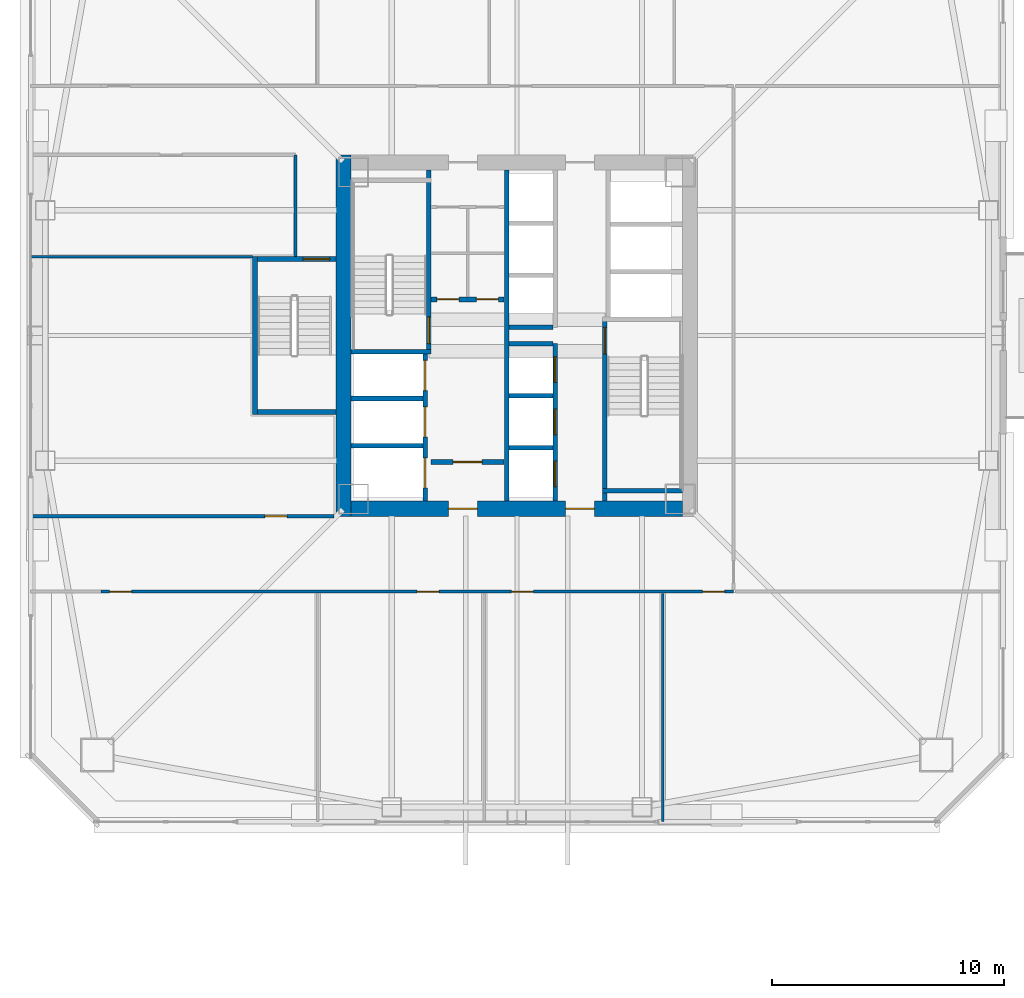
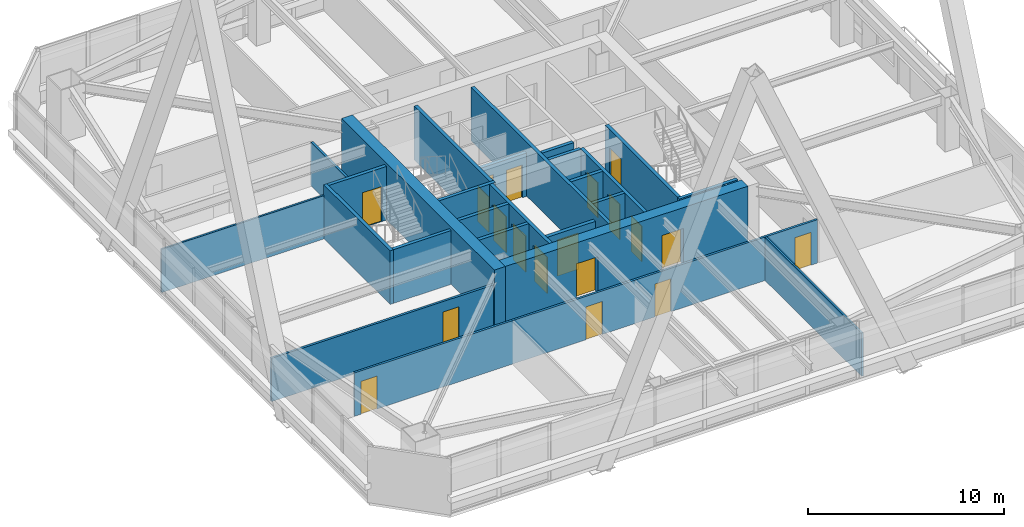
# One storey, part 43 of 54: 25 walls, 19 doors, 19 openings.
"""IFC4 building model written with IfcOpenShell, lengths in metres."""

from ifc_helpers import new_model, si_unit, direction, frame, frame_2d, origin, place, context, subcontext, project, spatial, rectangle, extrude, material, layer, layer_set, type_object, element, fill, save


model = new_model("IFC4")

# Units and contexts
model_context = context("Model", 3, precision=1e-05, world=origin(), true_north=direction((0.0, 1.0)))
body_context = subcontext(model_context, "Body", "Model", "MODEL_VIEW")
ifc_project = project(units=[si_unit("LENGTHUNIT", "METRE"), si_unit("AREAUNIT", "SQUARE_METRE"), si_unit("VOLUMEUNIT", "CUBIC_METRE"), si_unit("PLANEANGLEUNIT", "RADIAN"), si_unit("MASSUNIT", "GRAM", prefix="KILO")], contexts=[model_context])

# Site, building, storey
site_placement = place(None, origin())
site = spatial("IfcSite", under=ifc_project, at=site_placement, CompositionType="ELEMENT")
building_placement = place(site_placement, origin())
building = spatial("IfcBuilding", under=site, at=building_placement, Name="Tashvorn Skyway Center", CompositionType="ELEMENT")
storey_placement = place(building_placement, frame((0.0, 0.0, 88.5)))
storey = spatial("IfcBuildingStorey", under=building, at=storey_placement, Name="L23", CompositionType="ELEMENT", Elevation=88.5)

# Wall
ifc_material_1 = material(Name="Concrete C60/75", Category="concrete")
ifc_layer_1 = layer(ifc_material_1, 0.64990234375)
ifc_layer_set_1 = layer_set([ifc_layer_1], Name="Concrete C60/75")
wall_type_1 = type_object("IfcWallType", Name="WALL-CORE-650", PredefinedType="SHEAR", material=ifc_layer_set_1)
wall_1_placement = place(storey_placement, frame((34.52490234375, 24.199951171875, 0.0), z_axis=(0.0, 0.0, 1.0), x_axis=(0.0, 1.0, 0.0)))
element("IfcWall", 1, at=wall_1_placement, inside=storey, type_object=wall_type_1, Name="Tower 1 L23 West Core Shear Wall", PredefinedType="SHEAR", context=body_context, shape_type="SweptSolid", body=[
    extrude(rectangle(XDim=15.60009765625, YDim=0.64990234375, at=frame_2d((7.800048828125, 0.0))), origin(), (0.0, 0.0, 1.0), 3.550048828125),
])

# Wall, openings, doors
wall_2_placement = place(storey_placement, frame((49.14990234375, 24.52490234375, 0.0), z_axis=(0.0, 0.0, 1.0), x_axis=(-1.0, 0.0, 0.0)))
wall_2 = element("IfcWall", 2, at=wall_2_placement, inside=storey, type_object=wall_type_1, Name="Tower 1 L23 South Core Shear Wall", PredefinedType="SHEAR", context=body_context, shape_type="SweptSolid", body=[
    extrude(rectangle(XDim=14.2998046875, YDim=0.64990234375, at=frame_2d((7.14990234375, 0.0))), origin(), (0.0, 0.0, 1.0), 3.550048828125),
])
opening_1_placement = place(wall_2_placement, frame((8.85009765625, 0.0, 0.0)))
opening_1 = element("IfcOpeningElement", 3, at=opening_1_placement, cuts=wall_2, Name="Opening D-FFL-1250", PredefinedType="OPENING", context=body_context, shape_type="SweptSolid", body=[
    extrude(rectangle(XDim=1.25, YDim=2.25, at=frame_2d((0.625, 1.125))), frame((0.0, 0.3349609375, 0.0), z_axis=(0.0, -1.0, 0.0), x_axis=(1.0, 0.0, 0.0)), (0.0, 0.0, 1.0), 0.669921875),
])
opening_2_placement = place(wall_2_placement, frame((3.800048828125, 0.0, 0.0)))
opening_2 = element("IfcOpeningElement", 4, at=opening_2_placement, cuts=wall_2, Name="Opening D-FFL-1250", PredefinedType="OPENING", context=body_context, shape_type="SweptSolid", body=[
    extrude(rectangle(XDim=1.25, YDim=2.25, at=frame_2d((0.625, 1.125))), frame((0.0, 0.3349609375, 0.0), z_axis=(0.0, -1.0, 0.0), x_axis=(1.0, 0.0, 0.0)), (0.0, 0.0, 1.0), 0.669921875),
])
ifc_material_2 = material(Name="Hollow galvanized steel fire door assembly", Category="steel")
door_type_1 = type_object("IfcDoorType", Name="DOOR-FFL-1250", OperationType="NOTDEFINED", PredefinedType="DOOR", material=ifc_material_2)
door_1_placement = place(opening_1_placement, origin())
door_1 = element("IfcDoor", 5, at=door_1_placement, inside=storey, type_object=door_type_1, Name="Tower 1 L23 Core South Firefighting Exit Door", OperationType="SINGLE_SWING_LEFT", OverallHeight=2.25, OverallWidth=1.25, PredefinedType="DOOR", context=body_context, shape_type="SweptSolid", body=[
    extrude(rectangle(XDim=1.25, YDim=2.25, at=frame_2d((0.625, 1.125))), frame((0.0, 0.02490234375, 0.0), z_axis=(0.0, -1.0, 0.0), x_axis=(1.0, 0.0, 0.0)), (0.0, 0.0, 1.0), 0.050048828125),
])
fill(opening_1, door_1)
door_2_placement = place(opening_2_placement, origin())
door_2 = element("IfcDoor", 6, at=door_2_placement, inside=storey, type_object=door_type_1, Name="Tower 1 L23 Core South Lift Lobby Door", OperationType="SINGLE_SWING_RIGHT", OverallHeight=2.25, OverallWidth=1.25, PredefinedType="DOOR", context=body_context, shape_type="SweptSolid", body=[
    extrude(rectangle(XDim=1.25, YDim=2.25, at=frame_2d((0.625, 1.125))), frame((0.0, 0.02490234375, 0.0), z_axis=(0.0, -1.0, 0.0), x_axis=(1.0, 0.0, 0.0)), (0.0, 0.0, 1.0), 0.050048828125),
])
fill(opening_2, door_2)

ifc_material_3 = material(Name="Concrete C40/50", Category="concrete")
ifc_layer_2 = layer(ifc_material_3, 0.219970703125)
ifc_layer_set_2 = layer_set([ifc_layer_2], Name="Concrete C40/50")
wall_type_2 = type_object("IfcWallType", Name="WALL-FFL-220", PredefinedType="SOLIDWALL", material=ifc_layer_set_2)
wall_3_placement = place(storey_placement, frame((38.300048828125, 33.56005859375, 0.0), z_axis=(0.0, 0.0, 1.0), x_axis=(1.0, 0.0, 0.0)))
wall_3 = element("IfcWall", 7, at=wall_3_placement, inside=storey, type_object=wall_type_2, Name="Tower 1 L23 Firefighting Lobby North Wall", PredefinedType="SOLIDWALL", context=body_context, shape_type="SweptSolid", body=[
    extrude(rectangle(XDim=3.14990234375, YDim=0.219970703125, at=frame_2d((1.574951171875, 0.0))), origin(), (0.0, 0.0, 1.0), 2.702880859375),
])
opening_3_placement = place(wall_3_placement, frame((0.25, 0.0, 0.0)))
opening_3 = element("IfcOpeningElement", 8, at=opening_3_placement, cuts=wall_3, Name="Opening D-RT-950", PredefinedType="OPENING", context=body_context, shape_type="SweptSolid", body=[
    extrude(rectangle(XDim=0.949951171875, YDim=2.050048828125, at=frame_2d((0.47509765625, 1.02490234375))), frame((0.0, 0.119873046875, 0.0), z_axis=(0.0, -1.0, 0.0), x_axis=(1.0, 0.0, 0.0)), (0.0, 0.0, 1.0), 0.239990234375),
])
opening_4_placement = place(wall_3_placement, frame((1.949951171875, 0.0, 0.0)))
opening_4 = element("IfcOpeningElement", 9, at=opening_4_placement, cuts=wall_3, Name="Opening D-RT-950", PredefinedType="OPENING", context=body_context, shape_type="SweptSolid", body=[
    extrude(rectangle(XDim=0.949951171875, YDim=2.050048828125, at=frame_2d((0.47509765625, 1.02490234375))), frame((0.0, 0.119873046875, 0.0), z_axis=(0.0, -1.0, 0.0), x_axis=(1.0, 0.0, 0.0)), (0.0, 0.0, 1.0), 0.239990234375),
])
door_type_2 = type_object("IfcDoorType", Name="DOOR-RATED-950", OperationType="NOTDEFINED", PredefinedType="DOOR", material=ifc_material_2)
door_3_placement = place(opening_3_placement, origin())
door_3 = element("IfcDoor", 10, at=door_3_placement, inside=storey, type_object=door_type_2, Name="Tower 1 L23 Core Mail Room Door", OperationType="SINGLE_SWING_LEFT", OverallHeight=2.050048828125, OverallWidth=0.949951171875, PredefinedType="DOOR", context=body_context, shape_type="SweptSolid", body=[
    extrude(rectangle(XDim=0.949951171875, YDim=2.050048828125, at=frame_2d((0.47509765625, 1.02490234375))), frame((0.0, 0.02490234375, 0.0), z_axis=(0.0, -1.0, 0.0), x_axis=(1.0, 0.0, 0.0)), (0.0, 0.0, 1.0), 0.050048828125),
])
fill(opening_3, door_3)
door_4_placement = place(opening_4_placement, origin())
door_4 = element("IfcDoor", 11, at=door_4_placement, inside=storey, type_object=door_type_2, Name="Tower 1 L23 Core Supply Closet Door", OperationType="SINGLE_SWING_RIGHT", OverallHeight=2.050048828125, OverallWidth=0.949951171875, PredefinedType="DOOR", context=body_context, shape_type="SweptSolid", body=[
    extrude(rectangle(XDim=0.949951171875, YDim=2.050048828125, at=frame_2d((0.47509765625, 1.02490234375))), frame((0.0, 0.02490234375, 0.0), z_axis=(0.0, -1.0, 0.0), x_axis=(1.0, 0.0, 0.0)), (0.0, 0.0, 1.0), 0.050048828125),
])
fill(opening_4, door_4)

# Wall, opening, door
wall_4_placement = place(storey_placement, frame((38.300048828125, 26.5400390625, 0.0), z_axis=(0.0, 0.0, 1.0), x_axis=(1.0, 0.0, 0.0)))
wall_4 = element("IfcWall", 12, at=wall_4_placement, inside=storey, type_object=wall_type_2, Name="Tower 1 L23 Firefighting Lobby South Wall", PredefinedType="SOLIDWALL", context=body_context, shape_type="SweptSolid", body=[
    extrude(rectangle(XDim=3.14990234375, YDim=0.219970703125, at=frame_2d((1.574951171875, 0.0))), origin(), (0.0, 0.0, 1.0), 2.702880859375),
])
opening_5_placement = place(wall_4_placement, frame((0.949951171875, 0.0, 0.0)))
opening_5 = element("IfcOpeningElement", 13, at=opening_5_placement, cuts=wall_4, Name="Opening D-FFL-1250", PredefinedType="OPENING", context=body_context, shape_type="SweptSolid", body=[
    extrude(rectangle(XDim=1.25, YDim=2.25, at=frame_2d((0.625, 1.125))), frame((0.0, 0.119873046875, 0.0), z_axis=(0.0, -1.0, 0.0), x_axis=(1.0, 0.0, 0.0)), (0.0, 0.0, 1.0), 0.239990234375),
])
door_5_placement = place(opening_5_placement, origin())
door_5 = element("IfcDoor", 14, at=door_5_placement, inside=storey, type_object=door_type_1, Name="Tower 1 L23 Firefighting Lobby Egress Door", OperationType="SINGLE_SWING_LEFT", OverallHeight=2.25, OverallWidth=1.25, PredefinedType="DOOR", context=body_context, shape_type="SweptSolid", body=[
    extrude(rectangle(XDim=1.25, YDim=2.25, at=frame_2d((0.625, 1.125))), frame((0.0, 0.02490234375, 0.0), z_axis=(0.0, -1.0, 0.0), x_axis=(1.0, 0.0, 0.0)), (0.0, 0.0, 1.0), 0.050048828125),
])
fill(opening_5, door_5)

# Walls
ifc_material_4 = material(Name="Gypsum board on cold-formed steel stud framing", Category="steel")
ifc_layer_3 = layer(ifc_material_4, 0.110107421875)
ifc_layer_set_3 = layer_set([ifc_layer_3], Name="Gypsum board on cold-formed steel stud framing")
wall_type_3 = type_object("IfcWallType", Name="WALL-PART-110", PredefinedType="PARTITIONING", material=ifc_layer_set_3)
wall_5_placement = place(storey_placement, frame((48.300048828125, 11.02001953125, 0.0), z_axis=(0.0, 0.0, 1.0), x_axis=(0.0, 1.0, 0.0)))
element("IfcWall", 15, at=wall_5_placement, inside=storey, type_object=wall_type_3, Name="Tower 1 L23 South Suite Partition 3", PredefinedType="PARTITIONING", context=body_context, shape_type="SweptSolid", body=[
    extrude(rectangle(XDim=9.85009765625, YDim=0.110107421875, at=frame_2d((4.925048828125, 0.0))), origin(), (0.0, 0.0, 1.0), 2.702880859375),
])
wall_6_placement = place(storey_placement, frame((30.60009765625, 35.39990234375, 0.0), z_axis=(0.0, 0.0, 1.0), x_axis=(-1.0, 0.0, 0.0)))
element("IfcWall", 16, at=wall_6_placement, inside=storey, type_object=wall_type_3, Name="Tower 1 L23 West Suite Partition 1", PredefinedType="PARTITIONING", context=body_context, shape_type="SweptSolid", body=[
    extrude(rectangle(XDim=9.580078125, YDim=0.110107421875, at=frame_2d((4.7900390625, 0.0))), origin(), (0.0, 0.0, 1.0), 2.702880859375),
])
ifc_layer_4 = layer(ifc_material_4, 0.135009765625)
ifc_layer_set_4 = layer_set([ifc_layer_4], Name="Gypsum board on cold-formed steel stud framing")
wall_type_4 = type_object("IfcWallType", Name="WALL-PART-135", PredefinedType="PARTITIONING", material=ifc_layer_set_4)
wall_7_placement = place(storey_placement, frame((32.449951171875, 35.39990234375, 0.0), z_axis=(0.0, 0.0, 1.0), x_axis=(0.0, 1.0, 0.0)))
element("IfcWall", 17, at=wall_7_placement, inside=storey, type_object=wall_type_4, Name="Tower 1 L23 Stair 3 Access Corridor Wall", PredefinedType="PARTITIONING", context=body_context, shape_type="SweptSolid", body=[
    extrude(rectangle(XDim=4.400146484375, YDim=0.135009765625, at=frame_2d((2.2001953125, 0.0))), origin(), (0.0, 0.0, 1.0), 2.702880859375),
])

# Wall, openings, doors
wall_8_placement = place(storey_placement, frame((51.35009765625, 20.949951171875, 0.0), z_axis=(0.0, 0.0, 1.0), x_axis=(-1.0, 0.0, 0.0)))
wall_8 = element("IfcWall", 18, at=wall_8_placement, inside=storey, type_object=wall_type_4, Name="Tower 1 L23 South Suite Wall", PredefinedType="PARTITIONING", context=body_context, shape_type="SweptSolid", body=[
    extrude(rectangle(XDim=27.300048828125, YDim=0.135009765625, at=frame_2d((13.64990234375, 0.0))), origin(), (0.0, 0.0, 1.0), 2.702880859375),
])
opening_6_placement = place(wall_8_placement, frame((25.969970703125, 0.0, 0.0)))
opening_6 = element("IfcOpeningElement", 19, at=opening_6_placement, cuts=wall_8, Name="Opening D-INT-950", PredefinedType="OPENING", context=body_context, shape_type="SweptSolid", body=[
    extrude(rectangle(XDim=0.949951171875, YDim=2.050048828125, at=frame_2d((0.47509765625, 1.02490234375))), frame((0.0, 0.077392578125, 0.0), z_axis=(0.0, -1.0, 0.0), x_axis=(1.0, 0.0, 0.0)), (0.0, 0.0, 1.0), 0.155029296875),
])
opening_7_placement = place(wall_8_placement, frame((12.698486328125, 0.0, 0.0)))
opening_7 = element("IfcOpeningElement", 20, at=opening_7_placement, cuts=wall_8, Name="Opening D-INT-950", PredefinedType="OPENING", context=body_context, shape_type="SweptSolid", body=[
    extrude(rectangle(XDim=0.949951171875, YDim=2.050048828125, at=frame_2d((0.47509765625, 1.02490234375))), frame((0.0, 0.077392578125, 0.0), z_axis=(0.0, -1.0, 0.0), x_axis=(1.0, 0.0, 0.0)), (0.0, 0.0, 1.0), 0.155029296875),
])
opening_8_placement = place(wall_8_placement, frame((8.638671875, 0.0, 0.0)))
opening_8 = element("IfcOpeningElement", 21, at=opening_8_placement, cuts=wall_8, Name="Opening D-INT-950", PredefinedType="OPENING", context=body_context, shape_type="SweptSolid", body=[
    extrude(rectangle(XDim=0.949951171875, YDim=2.050048828125, at=frame_2d((0.47509765625, 1.02490234375))), frame((0.0, 0.077392578125, 0.0), z_axis=(0.0, -1.0, 0.0), x_axis=(1.0, 0.0, 0.0)), (0.0, 0.0, 1.0), 0.155029296875),
])
opening_9_placement = place(wall_8_placement, frame((0.3798828125, 0.0, 0.0)))
opening_9 = element("IfcOpeningElement", 22, at=opening_9_placement, cuts=wall_8, Name="Opening D-INT-950", PredefinedType="OPENING", context=body_context, shape_type="SweptSolid", body=[
    extrude(rectangle(XDim=0.949951171875, YDim=2.050048828125, at=frame_2d((0.47509765625, 1.02490234375))), frame((0.0, 0.077392578125, 0.0), z_axis=(0.0, -1.0, 0.0), x_axis=(1.0, 0.0, 0.0)), (0.0, 0.0, 1.0), 0.155029296875),
])
ifc_material_5 = material(Name="Solid-core architectural oak veneer door")
door_type_3 = type_object("IfcDoorType", Name="DOOR-INT-950", OperationType="NOTDEFINED", PredefinedType="DOOR", material=ifc_material_5)
door_6_placement = place(opening_6_placement, origin())
door_6 = element("IfcDoor", 23, at=door_6_placement, inside=storey, type_object=door_type_3, Name="Tower 1 L23 Conference Room Door", OperationType="SINGLE_SWING_RIGHT", OverallHeight=2.050048828125, OverallWidth=0.949951171875, PredefinedType="DOOR", context=body_context, shape_type="SweptSolid", body=[
    extrude(rectangle(XDim=0.949951171875, YDim=2.050048828125, at=frame_2d((0.47509765625, 1.02490234375))), frame((0.0, 0.02490234375, 0.0), z_axis=(0.0, -1.0, 0.0), x_axis=(1.0, 0.0, 0.0)), (0.0, 0.0, 1.0), 0.050048828125),
])
fill(opening_6, door_6)
door_7_placement = place(opening_7_placement, origin())
door_7 = element("IfcDoor", 24, at=door_7_placement, inside=storey, type_object=door_type_3, Name="Tower 1 L23 Staff Fitness Club Door", OperationType="SINGLE_SWING_LEFT", OverallHeight=2.050048828125, OverallWidth=0.949951171875, PredefinedType="DOOR", context=body_context, shape_type="SweptSolid", body=[
    extrude(rectangle(XDim=0.949951171875, YDim=2.050048828125, at=frame_2d((0.47509765625, 1.02490234375))), frame((0.0, 0.02490234375, 0.0), z_axis=(0.0, -1.0, 0.0), x_axis=(1.0, 0.0, 0.0)), (0.0, 0.0, 1.0), 0.050048828125),
])
fill(opening_7, door_7)
door_8_placement = place(opening_8_placement, origin())
door_8 = element("IfcDoor", 25, at=door_8_placement, inside=storey, type_object=door_type_3, Name="Tower 1 L23 Staff Fitness Club Door", OperationType="SINGLE_SWING_RIGHT", OverallHeight=2.050048828125, OverallWidth=0.949951171875, PredefinedType="DOOR", context=body_context, shape_type="SweptSolid", body=[
    extrude(rectangle(XDim=0.949951171875, YDim=2.050048828125, at=frame_2d((0.47509765625, 1.02490234375))), frame((0.0, 0.02490234375, 0.0), z_axis=(0.0, -1.0, 0.0), x_axis=(1.0, 0.0, 0.0)), (0.0, 0.0, 1.0), 0.050048828125),
])
fill(opening_8, door_8)
door_9_placement = place(opening_9_placement, origin())
door_9 = element("IfcDoor", 26, at=door_9_placement, inside=storey, type_object=door_type_3, Name="Tower 1 L23 Catering Pantry Door", OperationType="SINGLE_SWING_LEFT", OverallHeight=2.050048828125, OverallWidth=0.949951171875, PredefinedType="DOOR", context=body_context, shape_type="SweptSolid", body=[
    extrude(rectangle(XDim=0.949951171875, YDim=2.050048828125, at=frame_2d((0.47509765625, 1.02490234375))), frame((0.0, 0.02490234375, 0.0), z_axis=(0.0, -1.0, 0.0), x_axis=(1.0, 0.0, 0.0)), (0.0, 0.0, 1.0), 0.050048828125),
])
fill(opening_9, door_9)

# Wall, opening, door
wall_9_placement = place(storey_placement, frame((21.02001953125, 24.199951171875, 0.0), z_axis=(0.0, 0.0, 1.0), x_axis=(1.0, 0.0, 0.0)))
wall_9 = element("IfcWall", 27, at=wall_9_placement, inside=storey, type_object=wall_type_4, Name="Tower 1 L23 West Suite South Wall", PredefinedType="PARTITIONING", context=body_context, shape_type="SweptSolid", body=[
    extrude(rectangle(XDim=13.10009765625, YDim=0.135009765625, at=frame_2d((6.550048828125, 0.0))), origin(), (0.0, 0.0, 1.0), 2.702880859375),
])
opening_10_placement = place(wall_9_placement, frame((10.10498046875, 0.0, 0.0)))
opening_10 = element("IfcOpeningElement", 28, at=opening_10_placement, cuts=wall_9, Name="Opening D-INT-950", PredefinedType="OPENING", context=body_context, shape_type="SweptSolid", body=[
    extrude(rectangle(XDim=0.949951171875, YDim=2.050048828125, at=frame_2d((0.47509765625, 1.02490234375))), frame((0.0, 0.077392578125, 0.0), z_axis=(0.0, -1.0, 0.0), x_axis=(1.0, 0.0, 0.0)), (0.0, 0.0, 1.0), 0.155029296875),
])
door_10_placement = place(opening_10_placement, origin())
door_10 = element("IfcDoor", 29, at=door_10_placement, inside=storey, type_object=door_type_3, Name="Tower 1 L23 Public Restroom Door", OperationType="SINGLE_SWING_RIGHT", OverallHeight=2.050048828125, OverallWidth=0.949951171875, PredefinedType="DOOR", context=body_context, shape_type="SweptSolid", body=[
    extrude(rectangle(XDim=0.949951171875, YDim=2.050048828125, at=frame_2d((0.47509765625, 1.02490234375))), frame((0.0, 0.02490234375, 0.0), z_axis=(0.0, -1.0, 0.0), x_axis=(1.0, 0.0, 0.0)), (0.0, 0.0, 1.0), 0.050048828125),
])
fill(opening_10, door_10)

# Walls
ifc_layer_5 = layer(ifc_material_3, 0.199951171875)
ifc_layer_set_5 = layer_set([ifc_layer_5], Name="Concrete C40/50")
wall_type_5 = type_object("IfcWallType", Name="WALL-SHAFT-200", PredefinedType="SOLIDWALL", material=ifc_layer_set_5)
for number, where, z_axis, x_axis, name in (
    (30, (34.85009765625, 27.25, 0.0), (0.0, 0.0, 1.0), (1.0, 0.0, 0.0), "Tower 1 L23 FSAE Shaft Divider"),
    (31, (34.85009765625, 29.280029296875, 0.0), (0.0, 0.0, 1.0), (1.0, 0.0, 0.0), "Tower 1 L23 FSAE Shaft Divider"),
):
    element("IfcWall", number, at=place(storey_placement, frame(where, z_axis=z_axis, x_axis=x_axis)), inside=storey, type_object=wall_type_5, Name=name, PredefinedType="SOLIDWALL", context=body_context, shape_type="SweptSolid", body=[
        extrude(rectangle(XDim=3.099853515625, YDim=0.199951171875, at=frame_2d((1.5498046875, 0.0))), origin(), (0.0, 0.0, 1.0), 3.35009765625),
    ])

# Wall, openings, doors
wall_10_placement = place(storey_placement, frame((43.64990234375, 24.85009765625, 0.0), z_axis=(0.0, 0.0, 1.0), x_axis=(0.0, 1.0, 0.0)))
wall_10 = element("IfcWall", 32, at=wall_10_placement, inside=storey, type_object=wall_type_5, Name="Tower 1 L23 Low-Rise Core Wall", PredefinedType="SOLIDWALL", context=body_context, shape_type="SweptSolid", body=[
    extrude(rectangle(XDim=6.7998046875, YDim=0.199951171875, at=frame_2d((3.39990234375, 0.0))), origin(), (0.0, 0.0, 1.0), 3.35009765625),
])
opening_11_placement = place(wall_10_placement, frame((0.625, 0.0, 0.0)))
opening_11 = element("IfcOpeningElement", 33, at=opening_11_placement, cuts=wall_10, Name="Opening LD-LR-T1-1-L23", PredefinedType="OPENING", context=body_context, shape_type="SweptSolid", body=[
    extrude(rectangle(XDim=1.10009765625, YDim=2.199951171875, at=frame_2d((0.550048828125, 1.10009765625))), frame((0.0, 0.10986328125, 0.0), z_axis=(0.0, -1.0, 0.0), x_axis=(1.0, 0.0, 0.0)), (0.0, 0.0, 1.0), 0.219970703125),
])
opening_12_placement = place(wall_10_placement, frame((2.875, 0.0, 0.0)))
opening_12 = element("IfcOpeningElement", 34, at=opening_12_placement, cuts=wall_10, Name="Opening LD-LR-T1-2-L23", PredefinedType="OPENING", context=body_context, shape_type="SweptSolid", body=[
    extrude(rectangle(XDim=1.10009765625, YDim=2.199951171875, at=frame_2d((0.550048828125, 1.10009765625))), frame((0.0, 0.10986328125, 0.0), z_axis=(0.0, -1.0, 0.0), x_axis=(1.0, 0.0, 0.0)), (0.0, 0.0, 1.0), 0.219970703125),
])
opening_13_placement = place(wall_10_placement, frame((5.125, 0.0, 0.0)))
opening_13 = element("IfcOpeningElement", 35, at=opening_13_placement, cuts=wall_10, Name="Opening LD-LR-T1-3-L23", PredefinedType="OPENING", context=body_context, shape_type="SweptSolid", body=[
    extrude(rectangle(XDim=1.10009765625, YDim=2.199951171875, at=frame_2d((0.550048828125, 1.10009765625))), frame((0.0, 0.10986328125, 0.0), z_axis=(0.0, -1.0, 0.0), x_axis=(1.0, 0.0, 0.0)), (0.0, 0.0, 1.0), 0.219970703125),
])
ifc_material_6 = material(Name="Stainless steel landing door", Category="steel")
door_type_4 = type_object("IfcDoorType", Name="DOOR-LIFT-1100", OperationType="SLIDING_TO_LEFT", PredefinedType="DOOR", material=ifc_material_6)
door_11_placement = place(opening_11_placement, origin())
door_11 = element("IfcDoor", 36, at=door_11_placement, inside=storey, type_object=door_type_4, Name="Lift LR-T1-1 L23 Landing Door", OperationType="SLIDING_TO_LEFT", OverallHeight=2.199951171875, OverallWidth=1.10009765625, PredefinedType="DOOR", context=body_context, shape_type="SweptSolid", body=[
    extrude(rectangle(XDim=1.10009765625, YDim=2.199951171875, at=frame_2d((0.550048828125, 1.10009765625))), frame((0.0, 0.02490234375, 0.0), z_axis=(0.0, -1.0, 0.0), x_axis=(1.0, 0.0, 0.0)), (0.0, 0.0, 1.0), 0.050048828125),
])
fill(opening_11, door_11)
door_12_placement = place(opening_12_placement, origin())
door_12 = element("IfcDoor", 37, at=door_12_placement, inside=storey, type_object=door_type_4, Name="Lift LR-T1-2 L23 Landing Door", OperationType="SLIDING_TO_LEFT", OverallHeight=2.199951171875, OverallWidth=1.10009765625, PredefinedType="DOOR", context=body_context, shape_type="SweptSolid", body=[
    extrude(rectangle(XDim=1.10009765625, YDim=2.199951171875, at=frame_2d((0.550048828125, 1.10009765625))), frame((0.0, 0.02490234375, 0.0), z_axis=(0.0, -1.0, 0.0), x_axis=(1.0, 0.0, 0.0)), (0.0, 0.0, 1.0), 0.050048828125),
])
fill(opening_12, door_12)
door_13_placement = place(opening_13_placement, origin())
door_13 = element("IfcDoor", 38, at=door_13_placement, inside=storey, type_object=door_type_4, Name="Lift LR-T1-3 L23 Landing Door", OperationType="SLIDING_TO_LEFT", OverallHeight=2.199951171875, OverallWidth=1.10009765625, PredefinedType="DOOR", context=body_context, shape_type="SweptSolid", body=[
    extrude(rectangle(XDim=1.10009765625, YDim=2.199951171875, at=frame_2d((0.550048828125, 1.10009765625))), frame((0.0, 0.02490234375, 0.0), z_axis=(0.0, -1.0, 0.0), x_axis=(1.0, 0.0, 0.0)), (0.0, 0.0, 1.0), 0.050048828125),
])
fill(opening_13, door_13)

# Walls
for number, where, z_axis, x_axis, name in (
    (39, (41.669921875, 27.14990234375, 0.0), (0.0, 0.0, 1.0), (1.0, 0.0, 0.0), "Tower 1 L23 Low-Rise Shaft Divider"),
    (40, (41.669921875, 29.39990234375, 0.0), (0.0, 0.0, 1.0), (1.0, 0.0, 0.0), "Tower 1 L23 Low-Rise Shaft Divider"),
    (41, (41.669921875, 31.64990234375, 0.0), (0.0, 0.0, 1.0), (1.0, 0.0, 0.0), "Tower 1 L23 Low-Rise Shaft Divider"),
    (42, (41.669921875, 32.35009765625, 0.0), (0.0, 0.0, 1.0), (1.0, 0.0, 0.0), "Tower 1 L23 Mid-Rise Shaft Divider"),
):
    element("IfcWall", number, at=place(storey_placement, frame(where, z_axis=z_axis, x_axis=x_axis)), inside=storey, type_object=wall_type_5, Name=name, PredefinedType="SOLIDWALL", context=body_context, shape_type="SweptSolid", body=[
        extrude(rectangle(XDim=1.880126953125, YDim=0.199951171875, at=frame_2d((0.93994140625, 0.0))), origin(), (0.0, 0.0, 1.0), 3.35009765625),
    ])

# Wall, opening, door
ifc_layer_6 = layer(ifc_material_3, 0.199951171875)
ifc_layer_set_6 = layer_set([ifc_layer_6], Name="Concrete C40/50")
wall_type_6 = type_object("IfcWallType", Name="WALL-STSHF-200", PredefinedType="SHEAR", material=ifc_layer_set_6)
wall_11_placement = place(storey_placement, frame((38.199951171875, 31.199951171875, 0.0), z_axis=(0.0, 0.0, 1.0), x_axis=(0.0, 1.0, 0.0)))
wall_11 = element("IfcWall", 43, at=wall_11_placement, inside=storey, type_object=wall_type_6, Name="Tower 1 L23 Stair 1 Enclosure Wall", PredefinedType="SHEAR", context=body_context, shape_type="SweptSolid", body=[
    extrude(rectangle(XDim=7.949951171875, YDim=0.199951171875, at=frame_2d((3.97509765625, 0.0))), origin(), (0.0, 0.0, 1.0), 3.35009765625),
])
opening_14_placement = place(wall_11_placement, frame((0.449951171875, 0.0, 0.0)))
opening_14 = element("IfcOpeningElement", 44, at=opening_14_placement, cuts=wall_11, Name="Opening D-ST-1150", PredefinedType="OPENING", context=body_context, shape_type="SweptSolid", body=[
    extrude(rectangle(XDim=1.14990234375, YDim=2.199951171875, at=frame_2d((0.574951171875, 1.10009765625))), frame((0.0, 0.10986328125, 0.0), z_axis=(0.0, -1.0, 0.0), x_axis=(1.0, 0.0, 0.0)), (0.0, 0.0, 1.0), 0.219970703125),
])
door_type_5 = type_object("IfcDoorType", Name="DOOR-STAIR-1150", OperationType="NOTDEFINED", PredefinedType="DOOR", material=ifc_material_2)
door_14_placement = place(opening_14_placement, origin())
door_14 = element("IfcDoor", 45, at=door_14_placement, inside=storey, type_object=door_type_5, Name="Tower 1 L23 Exit Stair 1 Door", OperationType="SINGLE_SWING_RIGHT", OverallHeight=2.199951171875, OverallWidth=1.14990234375, PredefinedType="DOOR", context=body_context, shape_type="SweptSolid", body=[
    extrude(rectangle(XDim=1.14990234375, YDim=2.199951171875, at=frame_2d((0.574951171875, 1.10009765625))), frame((0.0, 0.02490234375, 0.0), z_axis=(0.0, -1.0, 0.0), x_axis=(1.0, 0.0, 0.0)), (0.0, 0.0, 1.0), 0.050048828125),
])
fill(opening_14, door_14)

# Wall
wall_12_placement = place(storey_placement, frame((34.85009765625, 31.300048828125, 0.0), z_axis=(0.0, 0.0, 1.0), x_axis=(1.0, 0.0, 0.0)))
element("IfcWall", 46, at=wall_12_placement, inside=storey, type_object=wall_type_6, Name="Tower 1 L23 Stair 1 South Wall", PredefinedType="SHEAR", context=body_context, shape_type="SweptSolid", body=[
    extrude(rectangle(XDim=3.449951171875, YDim=0.199951171875, at=frame_2d((1.72509765625, 0.0))), origin(), (0.0, 0.0, 1.0), 3.35009765625),
])

# Wall, opening, door
wall_13_placement = place(storey_placement, frame((45.800048828125, 32.800048828125, 0.0), z_axis=(0.0, 0.0, 1.0), x_axis=(0.0, -1.0, 0.0)))
wall_13 = element("IfcWall", 47, at=wall_13_placement, inside=storey, type_object=wall_type_6, Name="Tower 1 L23 Stair 2 Enclosure Wall", PredefinedType="SHEAR", context=body_context, shape_type="SweptSolid", body=[
    extrude(rectangle(XDim=7.949951171875, YDim=0.199951171875, at=frame_2d((3.97509765625, 0.0))), origin(), (0.0, 0.0, 1.0), 3.35009765625),
])
opening_15_placement = place(wall_13_placement, frame((0.449951171875, 0.0, 0.0)))
opening_15 = element("IfcOpeningElement", 48, at=opening_15_placement, cuts=wall_13, Name="Opening D-ST-1150", PredefinedType="OPENING", context=body_context, shape_type="SweptSolid", body=[
    extrude(rectangle(XDim=1.14990234375, YDim=2.199951171875, at=frame_2d((0.574951171875, 1.10009765625))), frame((0.0, 0.10986328125, 0.0), z_axis=(0.0, -1.0, 0.0), x_axis=(1.0, 0.0, 0.0)), (0.0, 0.0, 1.0), 0.219970703125),
])
door_15_placement = place(opening_15_placement, origin())
door_15 = element("IfcDoor", 49, at=door_15_placement, inside=storey, type_object=door_type_5, Name="Tower 1 L23 Exit Stair 2 Door", OperationType="SINGLE_SWING_RIGHT", OverallHeight=2.199951171875, OverallWidth=1.14990234375, PredefinedType="DOOR", context=body_context, shape_type="SweptSolid", body=[
    extrude(rectangle(XDim=1.14990234375, YDim=2.199951171875, at=frame_2d((0.574951171875, 1.10009765625))), frame((0.0, 0.02490234375, 0.0), z_axis=(0.0, -1.0, 0.0), x_axis=(1.0, 0.0, 0.0)), (0.0, 0.0, 1.0), 0.050048828125),
])
fill(opening_15, door_15)

# Walls
wall_14_placement = place(storey_placement, frame((45.699951171875, 25.300048828125, 0.0), z_axis=(0.0, 0.0, 1.0), x_axis=(1.0, 0.0, 0.0)))
element("IfcWall", 50, at=wall_14_placement, inside=storey, type_object=wall_type_6, Name="Tower 1 L23 Stair 2 South Wall", PredefinedType="SHEAR", context=body_context, shape_type="SweptSolid", body=[
    extrude(rectangle(XDim=3.449951171875, YDim=0.199951171875, at=frame_2d((1.72509765625, 0.0))), origin(), (0.0, 0.0, 1.0), 3.35009765625),
])
wall_15_placement = place(storey_placement, frame((41.56005859375, 24.85009765625, 0.0), z_axis=(0.0, 0.0, 1.0), x_axis=(0.0, 1.0, 0.0)))
element("IfcWall", 51, at=wall_15_placement, inside=storey, type_object=wall_type_6, Name="Tower 1 L23 Firefighting Lobby East Smoke Barrier", PredefinedType="SHEAR", context=body_context, shape_type="SweptSolid", body=[
    extrude(rectangle(XDim=14.2998046875, YDim=0.199951171875, at=frame_2d((7.14990234375, 0.0))), origin(), (0.0, 0.0, 1.0), 3.35009765625),
])

# Wall, openings, doors
wall_16_placement = place(storey_placement, frame((38.050048828125, 24.85009765625, 0.0), z_axis=(0.0, 0.0, 1.0), x_axis=(0.0, 1.0, 0.0)))
wall_16 = element("IfcWall", 52, at=wall_16_placement, inside=storey, type_object=wall_type_6, Name="Tower 1 L23 FSAE and Goods Shaft Front Wall", PredefinedType="SHEAR", context=body_context, shape_type="SweptSolid", body=[
    extrude(rectangle(XDim=6.349853515625, YDim=0.199951171875, at=frame_2d((3.1748046875, 0.0))), origin(), (0.0, 0.0, 1.0), 3.35009765625),
])
opening_16_placement = place(wall_16_placement, frame((4.77490234375, 0.0, 0.0)))
opening_16 = element("IfcOpeningElement", 53, at=opening_16_placement, cuts=wall_16, Name="Opening LD-FF-T1-1-L23", PredefinedType="OPENING", context=body_context, shape_type="SweptSolid", body=[
    extrude(rectangle(XDim=1.300048828125, YDim=2.25, at=frame_2d((0.64990234375, 1.125))), frame((0.0, 0.10986328125, 0.0), z_axis=(0.0, -1.0, 0.0), x_axis=(1.0, 0.0, 0.0)), (0.0, 0.0, 1.0), 0.219970703125),
])
opening_17_placement = place(wall_16_placement, frame((2.77490234375, 0.0, 0.0)))
opening_17 = element("IfcOpeningElement", 54, at=opening_17_placement, cuts=wall_16, Name="Opening LD-FF-T1-2-L23", PredefinedType="OPENING", context=body_context, shape_type="SweptSolid", body=[
    extrude(rectangle(XDim=1.300048828125, YDim=2.25, at=frame_2d((0.64990234375, 1.125))), frame((0.0, 0.10986328125, 0.0), z_axis=(0.0, -1.0, 0.0), x_axis=(1.0, 0.0, 0.0)), (0.0, 0.0, 1.0), 0.219970703125),
])
opening_18_placement = place(wall_16_placement, frame((0.574951171875, 0.0, 0.0)))
opening_18 = element("IfcOpeningElement", 55, at=opening_18_placement, cuts=wall_16, Name="Opening LD-GD-T1-1-L23", PredefinedType="OPENING", context=body_context, shape_type="SweptSolid", body=[
    extrude(rectangle(XDim=1.300048828125, YDim=2.25, at=frame_2d((0.64990234375, 1.125))), frame((0.0, 0.10986328125, 0.0), z_axis=(0.0, -1.0, 0.0), x_axis=(1.0, 0.0, 0.0)), (0.0, 0.0, 1.0), 0.219970703125),
])
ifc_material_7 = material(Name="Stainless steel heavy-duty landing door", Category="steel")
door_type_6 = type_object("IfcDoorType", Name="DOOR-LIFT-1300", OperationType="SLIDING_TO_LEFT", PredefinedType="DOOR", material=ifc_material_7)
door_16_placement = place(opening_16_placement, origin())
door_16 = element("IfcDoor", 56, at=door_16_placement, inside=storey, type_object=door_type_6, Name="Lift FF-T1-1 L23 Landing Door", OperationType="SLIDING_TO_LEFT", OverallHeight=2.25, OverallWidth=1.300048828125, PredefinedType="DOOR", context=body_context, shape_type="SweptSolid", body=[
    extrude(rectangle(XDim=1.300048828125, YDim=2.25, at=frame_2d((0.64990234375, 1.125))), frame((0.0, 0.02490234375, 0.0), z_axis=(0.0, -1.0, 0.0), x_axis=(1.0, 0.0, 0.0)), (0.0, 0.0, 1.0), 0.050048828125),
])
fill(opening_16, door_16)
door_17_placement = place(opening_17_placement, origin())
door_17 = element("IfcDoor", 57, at=door_17_placement, inside=storey, type_object=door_type_6, Name="Lift FF-T1-2 L23 Landing Door", OperationType="SLIDING_TO_LEFT", OverallHeight=2.25, OverallWidth=1.300048828125, PredefinedType="DOOR", context=body_context, shape_type="SweptSolid", body=[
    extrude(rectangle(XDim=1.300048828125, YDim=2.25, at=frame_2d((0.64990234375, 1.125))), frame((0.0, 0.02490234375, 0.0), z_axis=(0.0, -1.0, 0.0), x_axis=(1.0, 0.0, 0.0)), (0.0, 0.0, 1.0), 0.050048828125),
])
fill(opening_17, door_17)
door_18_placement = place(opening_18_placement, origin())
door_18 = element("IfcDoor", 58, at=door_18_placement, inside=storey, type_object=door_type_6, Name="Lift GD-T1-1 L23 Landing Door", OperationType="SLIDING_TO_LEFT", OverallHeight=2.25, OverallWidth=1.300048828125, PredefinedType="DOOR", context=body_context, shape_type="SweptSolid", body=[
    extrude(rectangle(XDim=1.300048828125, YDim=2.25, at=frame_2d((0.64990234375, 1.125))), frame((0.0, 0.02490234375, 0.0), z_axis=(0.0, -1.0, 0.0), x_axis=(1.0, 0.0, 0.0)), (0.0, 0.0, 1.0), 0.050048828125),
])
fill(opening_18, door_18)

# Wall
wall_17_placement = place(storey_placement, frame((30.699951171875, 28.60009765625, 0.0), z_axis=(0.0, 0.0, 1.0), x_axis=(0.0, 1.0, 0.0)))
element("IfcWall", 59, at=wall_17_placement, inside=storey, type_object=wall_type_6, Name="Tower 1 L23 Stair 3 Outer Wall", PredefinedType="SHEAR", context=body_context, shape_type="SweptSolid", body=[
    extrude(rectangle(XDim=6.7998046875, YDim=0.199951171875, at=frame_2d((3.39990234375, 0.0))), origin(), (0.0, 0.0, 1.0), 3.35009765625),
])

# Wall, opening, door
wall_18_placement = place(storey_placement, frame((34.199951171875, 35.300048828125, 0.0), z_axis=(0.0, 0.0, 1.0), x_axis=(-1.0, 0.0, 0.0)))
wall_18 = element("IfcWall", 60, at=wall_18_placement, inside=storey, type_object=wall_type_6, Name="Tower 1 L23 Stair 3 Enclosure Wall", PredefinedType="SHEAR", context=body_context, shape_type="SweptSolid", body=[
    extrude(rectangle(XDim=3.39990234375, YDim=0.199951171875, at=frame_2d((1.699951171875, 0.0))), origin(), (0.0, 0.0, 1.0), 3.35009765625),
])
opening_19_placement = place(wall_18_placement, frame((0.27490234375, 0.0, 0.0)))
opening_19 = element("IfcOpeningElement", 61, at=opening_19_placement, cuts=wall_18, Name="Opening D-ST-1150", PredefinedType="OPENING", context=body_context, shape_type="SweptSolid", body=[
    extrude(rectangle(XDim=1.14990234375, YDim=2.199951171875, at=frame_2d((0.574951171875, 1.10009765625))), frame((0.0, 0.10986328125, 0.0), z_axis=(0.0, -1.0, 0.0), x_axis=(1.0, 0.0, 0.0)), (0.0, 0.0, 1.0), 0.219970703125),
])
door_19_placement = place(opening_19_placement, origin())
door_19 = element("IfcDoor", 62, at=door_19_placement, inside=storey, type_object=door_type_5, Name="Tower 1 L23 Exit Stair 3 Door", OperationType="SINGLE_SWING_RIGHT", OverallHeight=2.199951171875, OverallWidth=1.14990234375, PredefinedType="DOOR", context=body_context, shape_type="SweptSolid", body=[
    extrude(rectangle(XDim=1.14990234375, YDim=2.199951171875, at=frame_2d((0.574951171875, 1.10009765625))), frame((0.0, 0.02490234375, 0.0), z_axis=(0.0, -1.0, 0.0), x_axis=(1.0, 0.0, 0.0)), (0.0, 0.0, 1.0), 0.050048828125),
])
fill(opening_19, door_19)

# Wall
wall_19_placement = place(storey_placement, frame((30.800048828125, 28.699951171875, 0.0), z_axis=(0.0, 0.0, 1.0), x_axis=(1.0, 0.0, 0.0)))
element("IfcWall", 63, at=wall_19_placement, inside=storey, type_object=wall_type_6, Name="Tower 1 L23 Stair 3 South Wall", PredefinedType="SHEAR", context=body_context, shape_type="SweptSolid", body=[
    extrude(rectangle(XDim=3.39990234375, YDim=0.199951171875, at=frame_2d((1.699951171875, 0.0))), origin(), (0.0, 0.0, 1.0), 3.35009765625),
])

save(model, "model.ifc")
